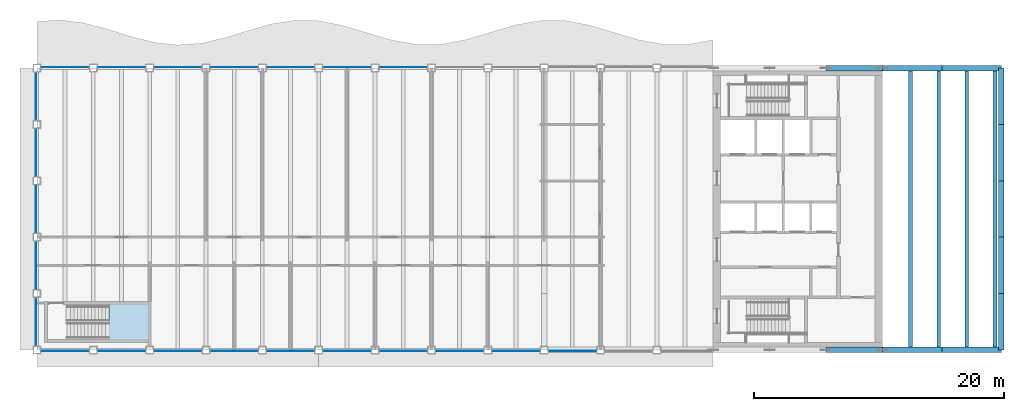
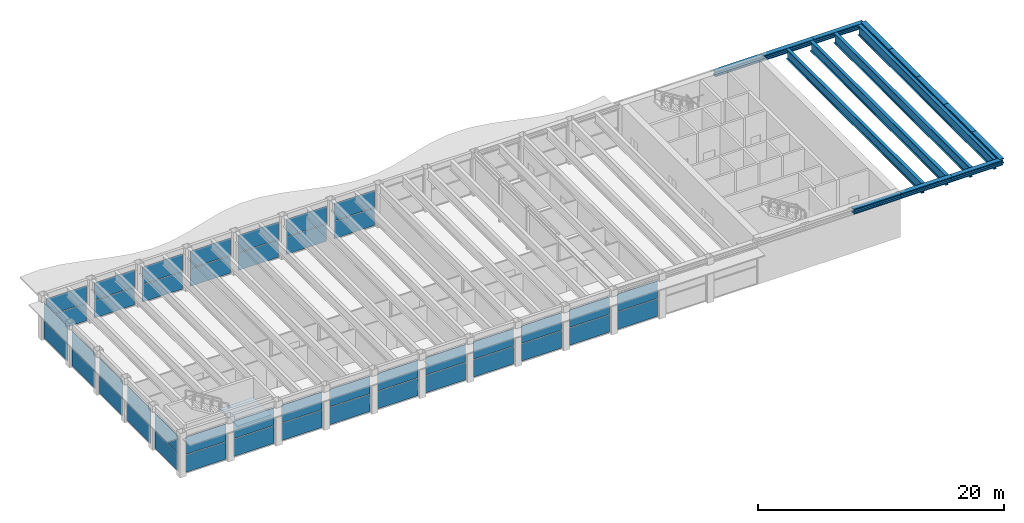
# One storey, part 8 of 15: 44 plates, 11 members, 4 beams, 1 slab, 23 elements without a shape of their own.
"""IFC4 building model written with IfcOpenShell, lengths in metres."""

from ifc_helpers import new_model, si_unit, direction, frame, origin, origin_2d, place, context, subcontext, project, spatial, polyline, rectangle, i_section, outline, extrude, material, layer, layer_set, material_profile, profile_set, type_object, element, aggregate, save


model = new_model("IFC4")

# Units and contexts
model_context = context("Model", 3, precision=1e-05, world=origin(), true_north=direction((0.0, 1.0)))
body_context = subcontext(model_context, "Body", "Model", "MODEL_VIEW")
ifc_project = project(units=[si_unit("LENGTHUNIT", "METRE"), si_unit("AREAUNIT", "SQUARE_METRE"), si_unit("VOLUMEUNIT", "CUBIC_METRE"), si_unit("PLANEANGLEUNIT", "RADIAN"), si_unit("MASSUNIT", "GRAM", prefix="KILO")], contexts=[model_context])

# Site, building, storey
site_placement = place(None, origin())
site = spatial("IfcSite", under=ifc_project, at=site_placement, CompositionType="ELEMENT")
building_placement = place(site_placement, origin())
building = spatial("IfcBuilding", under=site, at=building_placement, Name="Sennacour Bend Tower", CompositionType="ELEMENT")
storey_placement = place(building_placement, frame((0.0, 0.0, 341.0)))
storey = spatial("IfcBuildingStorey", under=building, at=storey_placement, Name="L78", CompositionType="ELEMENT", Elevation=341.0)

# Beams
ifc_material_1 = material(Name="Steel ASTM A992 Grade 50", Category="steel")
ifc_material_profile_1 = material_profile(ifc_material_1, i_section(OverallWidth=0.300048828125, OverallDepth=0.990966796875, WebThickness=0.0166015625, FlangeThickness=0.030517578125, FilletRadius=0.030029296875, at=origin_2d()), Name="Steel ASTM A992 Grade 50", Category="steel")
ifc_profile_set_1 = profile_set([ifc_material_profile_1], Name="Steel ASTM A992 Grade 50")
beam_type = type_object("IfcBeamType", Name="Floor beam W1000X272", PredefinedType="BEAM", material=ifc_profile_set_1)
for number, where, z_axis, x_axis, name in (
    (1, (69.75, 0.216064453125, 3.804443359375), (0.0, 1.0, 0.0), (-1.0, 0.0, 0.0), "Floor beam FBM3 L79-023"),
    (2, (72.0, 0.216064453125, 3.804443359375), (0.0, 1.0, 0.0), (-1.0, 0.0, 0.0), "Floor beam FBM3 L79-024"),
    (3, (74.25, 0.216064453125, 3.804443359375), (0.0, 1.0, 0.0), (-1.0, 0.0, 0.0), "Floor beam FBM3 L79-025"),
    (4, (76.5, 0.216064453125, 3.804443359375), (0.0, 1.0, 0.0), (-1.0, 0.0, 0.0), "Floor beam FBM3 L79-026"),
):
    element("IfcBeam", number, at=place(storey_placement, frame(where, z_axis=z_axis, x_axis=x_axis)), inside=storey, type_object=beam_type, Name=name, PredefinedType="BEAM", context=body_context, shape_type="SweptSolid", body=[
        extrude(i_section(OverallWidth=0.300048828125, OverallDepth=0.990966796875, WebThickness=0.0166015625, FlangeThickness=0.030517578125, FilletRadius=0.030029296875, at=origin_2d()), origin(), (0.0, 0.0, 1.0), 22.06787109375),
    ])

# Members
ifc_material_profile_2 = material_profile(ifc_material_1, i_section(OverallWidth=0.431884765625, OverallDepth=0.498046875, WebThickness=0.0556640625, FlangeThickness=0.0888671875, FilletRadius=0.01513671875, at=origin_2d()), Name="Steel ASTM A992 Grade 50", Category="steel")
ifc_profile_set_2 = profile_set([ifc_material_profile_2], Name="Steel ASTM A992 Grade 50")
member_type = type_object("IfcMemberType", Name="Lounge truss chord W360X744", PredefinedType="CHORD", material=ifc_profile_set_2)
member_1_placement = place(storey_placement, frame((63.0, 0.0, 4.051025390625), z_axis=(1.0, 0.0, 0.0), x_axis=(0.0, 1.0, 0.0)))
element("IfcMember", 5, at=member_1_placement, inside=storey, type_object=member_type, Name="Lounge truss chord LTC L79-006", PredefinedType="CHORD", context=body_context, shape_type="SweptSolid", body=[
    extrude(i_section(OverallWidth=0.431884765625, OverallDepth=0.498046875, WebThickness=0.0556640625, FlangeThickness=0.0888671875, FilletRadius=0.01513671875, at=origin_2d()), origin(), (0.0, 0.0, 1.0), 4.5),
])
for number, where, z_axis, x_axis, name in (
    (6, (67.5, 0.0, 4.051025390625), (1.0, 0.0, 0.0), (0.0, 1.0, 0.0), "Lounge truss chord LTC L79-007"),
    (7, (72.25, 0.0, 4.051025390625), (1.0, 0.0, 0.0), (0.0, 1.0, 0.0), "Lounge truss chord LTC L79-008"),
):
    element("IfcMember", number, at=place(storey_placement, frame(where, z_axis=z_axis, x_axis=x_axis)), inside=storey, type_object=member_type, Name=name, PredefinedType="CHORD", context=body_context, shape_type="SweptSolid", body=[
        extrude(i_section(OverallWidth=0.431884765625, OverallDepth=0.498046875, WebThickness=0.0556640625, FlangeThickness=0.0888671875, FilletRadius=0.01513671875, at=origin_2d()), origin(), (0.0, 0.0, 1.0), 4.75),
    ])
member_2_placement = place(storey_placement, frame((63.0, 22.5, 4.051025390625), z_axis=(1.0, 0.0, 0.0), x_axis=(0.0, 1.0, 0.0)))
element("IfcMember", 8, at=member_2_placement, inside=storey, type_object=member_type, Name="Lounge truss chord LTC L79-014", PredefinedType="CHORD", context=body_context, shape_type="SweptSolid", body=[
    extrude(i_section(OverallWidth=0.431884765625, OverallDepth=0.498046875, WebThickness=0.0556640625, FlangeThickness=0.0888671875, FilletRadius=0.01513671875, at=origin_2d()), origin(), (0.0, 0.0, 1.0), 4.5),
])
for number, where, z_axis, x_axis, name in (
    (9, (67.5, 22.5, 4.051025390625), (1.0, 0.0, 0.0), (0.0, 1.0, 0.0), "Lounge truss chord LTC L79-015"),
    (10, (72.25, 22.5, 4.051025390625), (1.0, 0.0, 0.0), (0.0, 1.0, 0.0), "Lounge truss chord LTC L79-016"),
):
    element("IfcMember", number, at=place(storey_placement, frame(where, z_axis=z_axis, x_axis=x_axis)), inside=storey, type_object=member_type, Name=name, PredefinedType="CHORD", context=body_context, shape_type="SweptSolid", body=[
        extrude(i_section(OverallWidth=0.431884765625, OverallDepth=0.498046875, WebThickness=0.0556640625, FlangeThickness=0.0888671875, FilletRadius=0.01513671875, at=origin_2d()), origin(), (0.0, 0.0, 1.0), 4.75),
    ])
for number, where, z_axis, x_axis, name in (
    (11, (77.0, 0.0, 4.051025390625), (0.0, 1.0, 0.0), (-1.0, 0.0, 0.0), "Lounge truss chord LTC L79-022"),
    (12, (77.0, 4.5, 4.051025390625), (0.0, 1.0, 0.0), (-1.0, 0.0, 0.0), "Lounge truss chord LTC L79-023"),
    (13, (77.0, 9.0, 4.051025390625), (0.0, 1.0, 0.0), (-1.0, 0.0, 0.0), "Lounge truss chord LTC L79-024"),
    (14, (77.0, 13.5, 4.051025390625), (0.0, 1.0, 0.0), (-1.0, 0.0, 0.0), "Lounge truss chord LTC L79-025"),
    (15, (77.0, 18.0, 4.051025390625), (0.0, 1.0, 0.0), (-1.0, 0.0, 0.0), "Lounge truss chord LTC L79-026"),
):
    element("IfcMember", number, at=place(storey_placement, frame(where, z_axis=z_axis, x_axis=x_axis)), inside=storey, type_object=member_type, Name=name, PredefinedType="CHORD", context=body_context, shape_type="SweptSolid", body=[
        extrude(i_section(OverallWidth=0.431884765625, OverallDepth=0.498046875, WebThickness=0.0556640625, FlangeThickness=0.0888671875, FilletRadius=0.01513671875, at=origin_2d()), origin(), (0.0, 0.0, 1.0), 4.5),
    ])

# Curtain wall, plates
ifc_material_2 = material(Name="Bronze anodised aluminium curtain wall with clear glass", Category="aluminium")
curtain_wall_type = type_object("IfcCurtainWallType", Name="CURTAIN WALL EXEC", PredefinedType="NOTDEFINED", material=ifc_material_2)
curtain_wall_1_placement = place(storey_placement, origin())
curtain_wall_1 = element("IfcCurtainWall", 16, at=curtain_wall_1_placement, inside=storey, type_object=curtain_wall_type, Name="Executive floor glass wall L78", PredefinedType="NOTDEFINED")
ifc_material_3 = material(Name="Clear low-emissivity glass", Category="glass")
ifc_layer_1 = layer(ifc_material_3, 0.031982421875, Name="Clear low-emissivity glass", Category="glass")
ifc_layer_set_1 = layer_set([ifc_layer_1], Name="Clear low-emissivity glass")
plate_type = type_object("IfcPlateType", Name="PNL-GLASS-IGU32", PredefinedType="CURTAIN_PANEL", material=ifc_layer_set_1)
plate_1_placement = place(storey_placement, frame((2.25, -0.074951171875, 0.06005859375), z_axis=(0.0, 0.0, 1.0), x_axis=(1.0, 0.0, 0.0)))
plate_1 = element("IfcPlate", 17, at=plate_1_placement, type_object=plate_type, Name="GW3 curtain wall panel 1.1", PredefinedType="CURTAIN_PANEL", context=body_context, shape_type="SweptSolid", body=[
    extrude(rectangle(XDim=3.780029296875, YDim=0.031982421875, at=origin_2d()), origin(), (0.0, 0.0, 1.0), 1.720947265625),
])
plate_2_placement = place(storey_placement, frame((2.25, -0.074951171875, 1.8408203125), z_axis=(0.0, 0.0, 1.0), x_axis=(1.0, 0.0, 0.0)))
plate_2 = element("IfcPlate", 18, at=plate_2_placement, type_object=plate_type, Name="GW3 curtain wall panel 1.2", PredefinedType="CURTAIN_PANEL", context=body_context, shape_type="SweptSolid", body=[
    extrude(rectangle(XDim=3.780029296875, YDim=0.031982421875, at=origin_2d()), origin(), (0.0, 0.0, 1.0), 1.720947265625),
])
aggregate(curtain_wall_1, [plate_1, plate_2])

curtain_wall_2_placement = place(storey_placement, origin())
curtain_wall_2 = element("IfcCurtainWall", 19, at=curtain_wall_2_placement, inside=storey, type_object=curtain_wall_type, Name="Executive floor glass wall L78", PredefinedType="NOTDEFINED")
plate_3_placement = place(storey_placement, frame((6.75, -0.074951171875, 0.06005859375), z_axis=(0.0, 0.0, 1.0), x_axis=(1.0, 0.0, 0.0)))
plate_3 = element("IfcPlate", 20, at=plate_3_placement, type_object=plate_type, Name="GW3 curtain wall panel 1.1", PredefinedType="CURTAIN_PANEL", context=body_context, shape_type="SweptSolid", body=[
    extrude(rectangle(XDim=3.780029296875, YDim=0.031982421875, at=origin_2d()), origin(), (0.0, 0.0, 1.0), 1.720947265625),
])
plate_4_placement = place(storey_placement, frame((6.75, -0.074951171875, 1.8408203125), z_axis=(0.0, 0.0, 1.0), x_axis=(1.0, 0.0, 0.0)))
plate_4 = element("IfcPlate", 21, at=plate_4_placement, type_object=plate_type, Name="GW3 curtain wall panel 1.2", PredefinedType="CURTAIN_PANEL", context=body_context, shape_type="SweptSolid", body=[
    extrude(rectangle(XDim=3.780029296875, YDim=0.031982421875, at=origin_2d()), origin(), (0.0, 0.0, 1.0), 1.720947265625),
])
aggregate(curtain_wall_2, [plate_3, plate_4])

curtain_wall_3_placement = place(storey_placement, origin())
curtain_wall_3 = element("IfcCurtainWall", 22, at=curtain_wall_3_placement, inside=storey, type_object=curtain_wall_type, Name="Executive floor glass wall L78", PredefinedType="NOTDEFINED")
plate_5_placement = place(storey_placement, frame((11.25, -0.074951171875, 0.06005859375), z_axis=(0.0, 0.0, 1.0), x_axis=(1.0, 0.0, 0.0)))
plate_5 = element("IfcPlate", 23, at=plate_5_placement, type_object=plate_type, Name="GW3 curtain wall panel 1.1", PredefinedType="CURTAIN_PANEL", context=body_context, shape_type="SweptSolid", body=[
    extrude(rectangle(XDim=3.780029296875, YDim=0.031982421875, at=origin_2d()), origin(), (0.0, 0.0, 1.0), 1.720947265625),
])
plate_6_placement = place(storey_placement, frame((11.25, -0.074951171875, 1.8408203125), z_axis=(0.0, 0.0, 1.0), x_axis=(1.0, 0.0, 0.0)))
plate_6 = element("IfcPlate", 24, at=plate_6_placement, type_object=plate_type, Name="GW3 curtain wall panel 1.2", PredefinedType="CURTAIN_PANEL", context=body_context, shape_type="SweptSolid", body=[
    extrude(rectangle(XDim=3.780029296875, YDim=0.031982421875, at=origin_2d()), origin(), (0.0, 0.0, 1.0), 1.720947265625),
])
aggregate(curtain_wall_3, [plate_5, plate_6])

curtain_wall_4_placement = place(storey_placement, origin())
curtain_wall_4 = element("IfcCurtainWall", 25, at=curtain_wall_4_placement, inside=storey, type_object=curtain_wall_type, Name="Executive floor glass wall L78", PredefinedType="NOTDEFINED")
plate_7_placement = place(storey_placement, frame((15.75, -0.074951171875, 0.06005859375), z_axis=(0.0, 0.0, 1.0), x_axis=(1.0, 0.0, 0.0)))
plate_7 = element("IfcPlate", 26, at=plate_7_placement, type_object=plate_type, Name="GW3 curtain wall panel 1.1", PredefinedType="CURTAIN_PANEL", context=body_context, shape_type="SweptSolid", body=[
    extrude(rectangle(XDim=3.780029296875, YDim=0.031982421875, at=origin_2d()), origin(), (0.0, 0.0, 1.0), 1.720947265625),
])
plate_8_placement = place(storey_placement, frame((15.75, -0.074951171875, 1.8408203125), z_axis=(0.0, 0.0, 1.0), x_axis=(1.0, 0.0, 0.0)))
plate_8 = element("IfcPlate", 27, at=plate_8_placement, type_object=plate_type, Name="GW3 curtain wall panel 1.2", PredefinedType="CURTAIN_PANEL", context=body_context, shape_type="SweptSolid", body=[
    extrude(rectangle(XDim=3.780029296875, YDim=0.031982421875, at=origin_2d()), origin(), (0.0, 0.0, 1.0), 1.720947265625),
])
aggregate(curtain_wall_4, [plate_7, plate_8])

curtain_wall_5_placement = place(storey_placement, origin())
curtain_wall_5 = element("IfcCurtainWall", 28, at=curtain_wall_5_placement, inside=storey, type_object=curtain_wall_type, Name="Executive floor glass wall L78", PredefinedType="NOTDEFINED")
plate_9_placement = place(storey_placement, frame((20.25, -0.074951171875, 0.06005859375), z_axis=(0.0, 0.0, 1.0), x_axis=(1.0, 0.0, 0.0)))
plate_9 = element("IfcPlate", 29, at=plate_9_placement, type_object=plate_type, Name="GW3 curtain wall panel 1.1", PredefinedType="CURTAIN_PANEL", context=body_context, shape_type="SweptSolid", body=[
    extrude(rectangle(XDim=3.780029296875, YDim=0.031982421875, at=origin_2d()), origin(), (0.0, 0.0, 1.0), 1.720947265625),
])
plate_10_placement = place(storey_placement, frame((20.25, -0.074951171875, 1.8408203125), z_axis=(0.0, 0.0, 1.0), x_axis=(1.0, 0.0, 0.0)))
plate_10 = element("IfcPlate", 30, at=plate_10_placement, type_object=plate_type, Name="GW3 curtain wall panel 1.2", PredefinedType="CURTAIN_PANEL", context=body_context, shape_type="SweptSolid", body=[
    extrude(rectangle(XDim=3.780029296875, YDim=0.031982421875, at=origin_2d()), origin(), (0.0, 0.0, 1.0), 1.720947265625),
])
aggregate(curtain_wall_5, [plate_9, plate_10])

curtain_wall_6_placement = place(storey_placement, origin())
curtain_wall_6 = element("IfcCurtainWall", 31, at=curtain_wall_6_placement, inside=storey, type_object=curtain_wall_type, Name="Executive floor glass wall L78", PredefinedType="NOTDEFINED")
plate_11_placement = place(storey_placement, frame((24.75, -0.074951171875, 0.06005859375), z_axis=(0.0, 0.0, 1.0), x_axis=(1.0, 0.0, 0.0)))
plate_11 = element("IfcPlate", 32, at=plate_11_placement, type_object=plate_type, Name="GW3 curtain wall panel 1.1", PredefinedType="CURTAIN_PANEL", context=body_context, shape_type="SweptSolid", body=[
    extrude(rectangle(XDim=3.780029296875, YDim=0.031982421875, at=origin_2d()), origin(), (0.0, 0.0, 1.0), 1.720947265625),
])
plate_12_placement = place(storey_placement, frame((24.75, -0.074951171875, 1.8408203125), z_axis=(0.0, 0.0, 1.0), x_axis=(1.0, 0.0, 0.0)))
plate_12 = element("IfcPlate", 33, at=plate_12_placement, type_object=plate_type, Name="GW3 curtain wall panel 1.2", PredefinedType="CURTAIN_PANEL", context=body_context, shape_type="SweptSolid", body=[
    extrude(rectangle(XDim=3.780029296875, YDim=0.031982421875, at=origin_2d()), origin(), (0.0, 0.0, 1.0), 1.720947265625),
])
aggregate(curtain_wall_6, [plate_11, plate_12])

curtain_wall_7_placement = place(storey_placement, origin())
curtain_wall_7 = element("IfcCurtainWall", 34, at=curtain_wall_7_placement, inside=storey, type_object=curtain_wall_type, Name="Executive floor glass wall L78", PredefinedType="NOTDEFINED")
plate_13_placement = place(storey_placement, frame((29.25, -0.074951171875, 0.06005859375), z_axis=(0.0, 0.0, 1.0), x_axis=(1.0, 0.0, 0.0)))
plate_13 = element("IfcPlate", 35, at=plate_13_placement, type_object=plate_type, Name="GW3 curtain wall panel 1.1", PredefinedType="CURTAIN_PANEL", context=body_context, shape_type="SweptSolid", body=[
    extrude(rectangle(XDim=3.780029296875, YDim=0.031982421875, at=origin_2d()), origin(), (0.0, 0.0, 1.0), 1.720947265625),
])
plate_14_placement = place(storey_placement, frame((29.25, -0.074951171875, 1.8408203125), z_axis=(0.0, 0.0, 1.0), x_axis=(1.0, 0.0, 0.0)))
plate_14 = element("IfcPlate", 36, at=plate_14_placement, type_object=plate_type, Name="GW3 curtain wall panel 1.2", PredefinedType="CURTAIN_PANEL", context=body_context, shape_type="SweptSolid", body=[
    extrude(rectangle(XDim=3.780029296875, YDim=0.031982421875, at=origin_2d()), origin(), (0.0, 0.0, 1.0), 1.720947265625),
])
aggregate(curtain_wall_7, [plate_13, plate_14])

curtain_wall_8_placement = place(storey_placement, origin())
curtain_wall_8 = element("IfcCurtainWall", 37, at=curtain_wall_8_placement, inside=storey, type_object=curtain_wall_type, Name="Executive floor glass wall L78", PredefinedType="NOTDEFINED")
plate_15_placement = place(storey_placement, frame((33.75, -0.074951171875, 0.06005859375), z_axis=(0.0, 0.0, 1.0), x_axis=(1.0, 0.0, 0.0)))
plate_15 = element("IfcPlate", 38, at=plate_15_placement, type_object=plate_type, Name="GW3 curtain wall panel 1.1", PredefinedType="CURTAIN_PANEL", context=body_context, shape_type="SweptSolid", body=[
    extrude(rectangle(XDim=3.780029296875, YDim=0.031982421875, at=origin_2d()), origin(), (0.0, 0.0, 1.0), 1.720947265625),
])
plate_16_placement = place(storey_placement, frame((33.75, -0.074951171875, 1.8408203125), z_axis=(0.0, 0.0, 1.0), x_axis=(1.0, 0.0, 0.0)))
plate_16 = element("IfcPlate", 39, at=plate_16_placement, type_object=plate_type, Name="GW3 curtain wall panel 1.2", PredefinedType="CURTAIN_PANEL", context=body_context, shape_type="SweptSolid", body=[
    extrude(rectangle(XDim=3.780029296875, YDim=0.031982421875, at=origin_2d()), origin(), (0.0, 0.0, 1.0), 1.720947265625),
])
aggregate(curtain_wall_8, [plate_15, plate_16])

curtain_wall_9_placement = place(storey_placement, origin())
curtain_wall_9 = element("IfcCurtainWall", 40, at=curtain_wall_9_placement, inside=storey, type_object=curtain_wall_type, Name="Executive floor glass wall L78", PredefinedType="NOTDEFINED")
plate_17_placement = place(storey_placement, frame((38.25, -0.074951171875, 0.06005859375), z_axis=(0.0, 0.0, 1.0), x_axis=(1.0, 0.0, 0.0)))
plate_17 = element("IfcPlate", 41, at=plate_17_placement, type_object=plate_type, Name="GW3 curtain wall panel 1.1", PredefinedType="CURTAIN_PANEL", context=body_context, shape_type="SweptSolid", body=[
    extrude(rectangle(XDim=3.780029296875, YDim=0.031982421875, at=origin_2d()), origin(), (0.0, 0.0, 1.0), 1.720947265625),
])
plate_18_placement = place(storey_placement, frame((38.25, -0.074951171875, 1.8408203125), z_axis=(0.0, 0.0, 1.0), x_axis=(1.0, 0.0, 0.0)))
plate_18 = element("IfcPlate", 42, at=plate_18_placement, type_object=plate_type, Name="GW3 curtain wall panel 1.2", PredefinedType="CURTAIN_PANEL", context=body_context, shape_type="SweptSolid", body=[
    extrude(rectangle(XDim=3.780029296875, YDim=0.031982421875, at=origin_2d()), origin(), (0.0, 0.0, 1.0), 1.720947265625),
])
aggregate(curtain_wall_9, [plate_17, plate_18])

curtain_wall_10_placement = place(storey_placement, origin())
curtain_wall_10 = element("IfcCurtainWall", 43, at=curtain_wall_10_placement, inside=storey, type_object=curtain_wall_type, Name="Executive floor glass wall L78", PredefinedType="NOTDEFINED")
plate_19_placement = place(storey_placement, frame((42.75, -0.074951171875, 0.06005859375), z_axis=(0.0, 0.0, 1.0), x_axis=(1.0, 0.0, 0.0)))
plate_19 = element("IfcPlate", 44, at=plate_19_placement, type_object=plate_type, Name="GW3 curtain wall panel 1.1", PredefinedType="CURTAIN_PANEL", context=body_context, shape_type="SweptSolid", body=[
    extrude(rectangle(XDim=3.780029296875, YDim=0.031982421875, at=origin_2d()), origin(), (0.0, 0.0, 1.0), 1.720947265625),
])
plate_20_placement = place(storey_placement, frame((42.75, -0.074951171875, 1.8408203125), z_axis=(0.0, 0.0, 1.0), x_axis=(1.0, 0.0, 0.0)))
plate_20 = element("IfcPlate", 45, at=plate_20_placement, type_object=plate_type, Name="GW3 curtain wall panel 1.2", PredefinedType="CURTAIN_PANEL", context=body_context, shape_type="SweptSolid", body=[
    extrude(rectangle(XDim=3.780029296875, YDim=0.031982421875, at=origin_2d()), origin(), (0.0, 0.0, 1.0), 1.720947265625),
])
aggregate(curtain_wall_10, [plate_19, plate_20])

curtain_wall_11_placement = place(storey_placement, origin())
curtain_wall_11 = element("IfcCurtainWall", 46, at=curtain_wall_11_placement, inside=storey, type_object=curtain_wall_type, Name="Executive floor glass wall L78", PredefinedType="NOTDEFINED")
plate_21_placement = place(storey_placement, frame((29.25, 22.574951171875, 0.06005859375), z_axis=(0.0, 0.0, 1.0), x_axis=(-1.0, 0.0, 0.0)))
plate_21 = element("IfcPlate", 47, at=plate_21_placement, type_object=plate_type, Name="GW3 curtain wall panel 1.1", PredefinedType="CURTAIN_PANEL", context=body_context, shape_type="SweptSolid", body=[
    extrude(rectangle(XDim=3.780029296875, YDim=0.031982421875, at=origin_2d()), origin(), (0.0, 0.0, 1.0), 1.720947265625),
])
plate_22_placement = place(storey_placement, frame((29.25, 22.574951171875, 1.8408203125), z_axis=(0.0, 0.0, 1.0), x_axis=(-1.0, 0.0, 0.0)))
plate_22 = element("IfcPlate", 48, at=plate_22_placement, type_object=plate_type, Name="GW3 curtain wall panel 1.2", PredefinedType="CURTAIN_PANEL", context=body_context, shape_type="SweptSolid", body=[
    extrude(rectangle(XDim=3.780029296875, YDim=0.031982421875, at=origin_2d()), origin(), (0.0, 0.0, 1.0), 1.720947265625),
])
aggregate(curtain_wall_11, [plate_21, plate_22])

curtain_wall_12_placement = place(storey_placement, origin())
curtain_wall_12 = element("IfcCurtainWall", 49, at=curtain_wall_12_placement, inside=storey, type_object=curtain_wall_type, Name="Executive floor glass wall L78", PredefinedType="NOTDEFINED")
plate_23_placement = place(storey_placement, frame((24.75, 22.574951171875, 0.06005859375), z_axis=(0.0, 0.0, 1.0), x_axis=(-1.0, 0.0, 0.0)))
plate_23 = element("IfcPlate", 50, at=plate_23_placement, type_object=plate_type, Name="GW3 curtain wall panel 1.1", PredefinedType="CURTAIN_PANEL", context=body_context, shape_type="SweptSolid", body=[
    extrude(rectangle(XDim=3.780029296875, YDim=0.031982421875, at=origin_2d()), origin(), (0.0, 0.0, 1.0), 1.720947265625),
])
plate_24_placement = place(storey_placement, frame((24.75, 22.574951171875, 1.8408203125), z_axis=(0.0, 0.0, 1.0), x_axis=(-1.0, 0.0, 0.0)))
plate_24 = element("IfcPlate", 51, at=plate_24_placement, type_object=plate_type, Name="GW3 curtain wall panel 1.2", PredefinedType="CURTAIN_PANEL", context=body_context, shape_type="SweptSolid", body=[
    extrude(rectangle(XDim=3.780029296875, YDim=0.031982421875, at=origin_2d()), origin(), (0.0, 0.0, 1.0), 1.720947265625),
])
aggregate(curtain_wall_12, [plate_23, plate_24])

curtain_wall_13_placement = place(storey_placement, origin())
curtain_wall_13 = element("IfcCurtainWall", 52, at=curtain_wall_13_placement, inside=storey, type_object=curtain_wall_type, Name="Executive floor glass wall L78", PredefinedType="NOTDEFINED")
plate_25_placement = place(storey_placement, frame((20.25, 22.574951171875, 0.06005859375), z_axis=(0.0, 0.0, 1.0), x_axis=(-1.0, 0.0, 0.0)))
plate_25 = element("IfcPlate", 53, at=plate_25_placement, type_object=plate_type, Name="GW3 curtain wall panel 1.1", PredefinedType="CURTAIN_PANEL", context=body_context, shape_type="SweptSolid", body=[
    extrude(rectangle(XDim=3.780029296875, YDim=0.031982421875, at=origin_2d()), origin(), (0.0, 0.0, 1.0), 1.720947265625),
])
plate_26_placement = place(storey_placement, frame((20.25, 22.574951171875, 1.8408203125), z_axis=(0.0, 0.0, 1.0), x_axis=(-1.0, 0.0, 0.0)))
plate_26 = element("IfcPlate", 54, at=plate_26_placement, type_object=plate_type, Name="GW3 curtain wall panel 1.2", PredefinedType="CURTAIN_PANEL", context=body_context, shape_type="SweptSolid", body=[
    extrude(rectangle(XDim=3.780029296875, YDim=0.031982421875, at=origin_2d()), origin(), (0.0, 0.0, 1.0), 1.720947265625),
])
aggregate(curtain_wall_13, [plate_25, plate_26])

curtain_wall_14_placement = place(storey_placement, origin())
curtain_wall_14 = element("IfcCurtainWall", 55, at=curtain_wall_14_placement, inside=storey, type_object=curtain_wall_type, Name="Executive floor glass wall L78", PredefinedType="NOTDEFINED")
plate_27_placement = place(storey_placement, frame((15.75, 22.574951171875, 0.06005859375), z_axis=(0.0, 0.0, 1.0), x_axis=(-1.0, 0.0, 0.0)))
plate_27 = element("IfcPlate", 56, at=plate_27_placement, type_object=plate_type, Name="GW3 curtain wall panel 1.1", PredefinedType="CURTAIN_PANEL", context=body_context, shape_type="SweptSolid", body=[
    extrude(rectangle(XDim=3.780029296875, YDim=0.031982421875, at=origin_2d()), origin(), (0.0, 0.0, 1.0), 1.720947265625),
])
plate_28_placement = place(storey_placement, frame((15.75, 22.574951171875, 1.8408203125), z_axis=(0.0, 0.0, 1.0), x_axis=(-1.0, 0.0, 0.0)))
plate_28 = element("IfcPlate", 57, at=plate_28_placement, type_object=plate_type, Name="GW3 curtain wall panel 1.2", PredefinedType="CURTAIN_PANEL", context=body_context, shape_type="SweptSolid", body=[
    extrude(rectangle(XDim=3.780029296875, YDim=0.031982421875, at=origin_2d()), origin(), (0.0, 0.0, 1.0), 1.720947265625),
])
aggregate(curtain_wall_14, [plate_27, plate_28])

curtain_wall_15_placement = place(storey_placement, origin())
curtain_wall_15 = element("IfcCurtainWall", 58, at=curtain_wall_15_placement, inside=storey, type_object=curtain_wall_type, Name="Executive floor glass wall L78", PredefinedType="NOTDEFINED")
plate_29_placement = place(storey_placement, frame((11.25, 22.574951171875, 0.06005859375), z_axis=(0.0, 0.0, 1.0), x_axis=(-1.0, 0.0, 0.0)))
plate_29 = element("IfcPlate", 59, at=plate_29_placement, type_object=plate_type, Name="GW3 curtain wall panel 1.1", PredefinedType="CURTAIN_PANEL", context=body_context, shape_type="SweptSolid", body=[
    extrude(rectangle(XDim=3.780029296875, YDim=0.031982421875, at=origin_2d()), origin(), (0.0, 0.0, 1.0), 1.720947265625),
])
plate_30_placement = place(storey_placement, frame((11.25, 22.574951171875, 1.8408203125), z_axis=(0.0, 0.0, 1.0), x_axis=(-1.0, 0.0, 0.0)))
plate_30 = element("IfcPlate", 60, at=plate_30_placement, type_object=plate_type, Name="GW3 curtain wall panel 1.2", PredefinedType="CURTAIN_PANEL", context=body_context, shape_type="SweptSolid", body=[
    extrude(rectangle(XDim=3.780029296875, YDim=0.031982421875, at=origin_2d()), origin(), (0.0, 0.0, 1.0), 1.720947265625),
])
aggregate(curtain_wall_15, [plate_29, plate_30])

curtain_wall_16_placement = place(storey_placement, origin())
curtain_wall_16 = element("IfcCurtainWall", 61, at=curtain_wall_16_placement, inside=storey, type_object=curtain_wall_type, Name="Executive floor glass wall L78", PredefinedType="NOTDEFINED")
plate_31_placement = place(storey_placement, frame((6.75, 22.574951171875, 0.06005859375), z_axis=(0.0, 0.0, 1.0), x_axis=(-1.0, 0.0, 0.0)))
plate_31 = element("IfcPlate", 62, at=plate_31_placement, type_object=plate_type, Name="GW3 curtain wall panel 1.1", PredefinedType="CURTAIN_PANEL", context=body_context, shape_type="SweptSolid", body=[
    extrude(rectangle(XDim=3.780029296875, YDim=0.031982421875, at=origin_2d()), origin(), (0.0, 0.0, 1.0), 1.720947265625),
])
plate_32_placement = place(storey_placement, frame((6.75, 22.574951171875, 1.8408203125), z_axis=(0.0, 0.0, 1.0), x_axis=(-1.0, 0.0, 0.0)))
plate_32 = element("IfcPlate", 63, at=plate_32_placement, type_object=plate_type, Name="GW3 curtain wall panel 1.2", PredefinedType="CURTAIN_PANEL", context=body_context, shape_type="SweptSolid", body=[
    extrude(rectangle(XDim=3.780029296875, YDim=0.031982421875, at=origin_2d()), origin(), (0.0, 0.0, 1.0), 1.720947265625),
])
aggregate(curtain_wall_16, [plate_31, plate_32])

curtain_wall_17_placement = place(storey_placement, origin())
curtain_wall_17 = element("IfcCurtainWall", 64, at=curtain_wall_17_placement, inside=storey, type_object=curtain_wall_type, Name="Executive floor glass wall L78", PredefinedType="NOTDEFINED")
plate_33_placement = place(storey_placement, frame((2.25, 22.574951171875, 0.06005859375), z_axis=(0.0, 0.0, 1.0), x_axis=(-1.0, 0.0, 0.0)))
plate_33 = element("IfcPlate", 65, at=plate_33_placement, type_object=plate_type, Name="GW3 curtain wall panel 1.1", PredefinedType="CURTAIN_PANEL", context=body_context, shape_type="SweptSolid", body=[
    extrude(rectangle(XDim=3.780029296875, YDim=0.031982421875, at=origin_2d()), origin(), (0.0, 0.0, 1.0), 1.720947265625),
])
plate_34_placement = place(storey_placement, frame((2.25, 22.574951171875, 1.8408203125), z_axis=(0.0, 0.0, 1.0), x_axis=(-1.0, 0.0, 0.0)))
plate_34 = element("IfcPlate", 66, at=plate_34_placement, type_object=plate_type, Name="GW3 curtain wall panel 1.2", PredefinedType="CURTAIN_PANEL", context=body_context, shape_type="SweptSolid", body=[
    extrude(rectangle(XDim=3.780029296875, YDim=0.031982421875, at=origin_2d()), origin(), (0.0, 0.0, 1.0), 1.720947265625),
])
aggregate(curtain_wall_17, [plate_33, plate_34])

curtain_wall_18_placement = place(storey_placement, origin())
curtain_wall_18 = element("IfcCurtainWall", 67, at=curtain_wall_18_placement, inside=storey, type_object=curtain_wall_type, Name="Executive floor glass wall L78", PredefinedType="NOTDEFINED")
plate_35_placement = place(storey_placement, frame((-0.074951171875, 20.25, 0.06005859375), z_axis=(0.0, 0.0, 1.0), x_axis=(0.0, -1.0, 0.0)))
plate_35 = element("IfcPlate", 68, at=plate_35_placement, type_object=plate_type, Name="GW3 curtain wall panel 1.1", PredefinedType="CURTAIN_PANEL", context=body_context, shape_type="SweptSolid", body=[
    extrude(rectangle(XDim=3.780029296875, YDim=0.031982421875, at=origin_2d()), origin(), (0.0, 0.0, 1.0), 1.720947265625),
])
plate_36_placement = place(storey_placement, frame((-0.074951171875, 20.25, 1.8408203125), z_axis=(0.0, 0.0, 1.0), x_axis=(0.0, -1.0, 0.0)))
plate_36 = element("IfcPlate", 69, at=plate_36_placement, type_object=plate_type, Name="GW3 curtain wall panel 1.2", PredefinedType="CURTAIN_PANEL", context=body_context, shape_type="SweptSolid", body=[
    extrude(rectangle(XDim=3.780029296875, YDim=0.031982421875, at=origin_2d()), origin(), (0.0, 0.0, 1.0), 1.720947265625),
])
aggregate(curtain_wall_18, [plate_35, plate_36])

curtain_wall_19_placement = place(storey_placement, origin())
curtain_wall_19 = element("IfcCurtainWall", 70, at=curtain_wall_19_placement, inside=storey, type_object=curtain_wall_type, Name="Executive floor glass wall L78", PredefinedType="NOTDEFINED")
plate_37_placement = place(storey_placement, frame((-0.074951171875, 15.75, 0.06005859375), z_axis=(0.0, 0.0, 1.0), x_axis=(0.0, -1.0, 0.0)))
plate_37 = element("IfcPlate", 71, at=plate_37_placement, type_object=plate_type, Name="GW3 curtain wall panel 1.1", PredefinedType="CURTAIN_PANEL", context=body_context, shape_type="SweptSolid", body=[
    extrude(rectangle(XDim=3.780029296875, YDim=0.031982421875, at=origin_2d()), origin(), (0.0, 0.0, 1.0), 1.720947265625),
])
plate_38_placement = place(storey_placement, frame((-0.074951171875, 15.75, 1.8408203125), z_axis=(0.0, 0.0, 1.0), x_axis=(0.0, -1.0, 0.0)))
plate_38 = element("IfcPlate", 72, at=plate_38_placement, type_object=plate_type, Name="GW3 curtain wall panel 1.2", PredefinedType="CURTAIN_PANEL", context=body_context, shape_type="SweptSolid", body=[
    extrude(rectangle(XDim=3.780029296875, YDim=0.031982421875, at=origin_2d()), origin(), (0.0, 0.0, 1.0), 1.720947265625),
])
aggregate(curtain_wall_19, [plate_37, plate_38])

curtain_wall_20_placement = place(storey_placement, origin())
curtain_wall_20 = element("IfcCurtainWall", 73, at=curtain_wall_20_placement, inside=storey, type_object=curtain_wall_type, Name="Executive floor glass wall L78", PredefinedType="NOTDEFINED")
plate_39_placement = place(storey_placement, frame((-0.074951171875, 11.25, 0.06005859375), z_axis=(0.0, 0.0, 1.0), x_axis=(0.0, -1.0, 0.0)))
plate_39 = element("IfcPlate", 74, at=plate_39_placement, type_object=plate_type, Name="GW3 curtain wall panel 1.1", PredefinedType="CURTAIN_PANEL", context=body_context, shape_type="SweptSolid", body=[
    extrude(rectangle(XDim=3.780029296875, YDim=0.031982421875, at=origin_2d()), origin(), (0.0, 0.0, 1.0), 1.720947265625),
])
plate_40_placement = place(storey_placement, frame((-0.074951171875, 11.25, 1.8408203125), z_axis=(0.0, 0.0, 1.0), x_axis=(0.0, -1.0, 0.0)))
plate_40 = element("IfcPlate", 75, at=plate_40_placement, type_object=plate_type, Name="GW3 curtain wall panel 1.2", PredefinedType="CURTAIN_PANEL", context=body_context, shape_type="SweptSolid", body=[
    extrude(rectangle(XDim=3.780029296875, YDim=0.031982421875, at=origin_2d()), origin(), (0.0, 0.0, 1.0), 1.720947265625),
])
aggregate(curtain_wall_20, [plate_39, plate_40])

curtain_wall_21_placement = place(storey_placement, origin())
curtain_wall_21 = element("IfcCurtainWall", 76, at=curtain_wall_21_placement, inside=storey, type_object=curtain_wall_type, Name="Executive floor glass wall L78", PredefinedType="NOTDEFINED")
plate_41_placement = place(storey_placement, frame((-0.074951171875, 6.75, 0.06005859375), z_axis=(0.0, 0.0, 1.0), x_axis=(0.0, -1.0, 0.0)))
plate_41 = element("IfcPlate", 77, at=plate_41_placement, type_object=plate_type, Name="GW3 curtain wall panel 1.1", PredefinedType="CURTAIN_PANEL", context=body_context, shape_type="SweptSolid", body=[
    extrude(rectangle(XDim=3.780029296875, YDim=0.031982421875, at=origin_2d()), origin(), (0.0, 0.0, 1.0), 1.720947265625),
])
plate_42_placement = place(storey_placement, frame((-0.074951171875, 6.75, 1.8408203125), z_axis=(0.0, 0.0, 1.0), x_axis=(0.0, -1.0, 0.0)))
plate_42 = element("IfcPlate", 78, at=plate_42_placement, type_object=plate_type, Name="GW3 curtain wall panel 1.2", PredefinedType="CURTAIN_PANEL", context=body_context, shape_type="SweptSolid", body=[
    extrude(rectangle(XDim=3.780029296875, YDim=0.031982421875, at=origin_2d()), origin(), (0.0, 0.0, 1.0), 1.720947265625),
])
aggregate(curtain_wall_21, [plate_41, plate_42])

curtain_wall_22_placement = place(storey_placement, origin())
curtain_wall_22 = element("IfcCurtainWall", 79, at=curtain_wall_22_placement, inside=storey, type_object=curtain_wall_type, Name="Executive floor glass wall L78", PredefinedType="NOTDEFINED")
plate_43_placement = place(storey_placement, frame((-0.074951171875, 2.25, 0.06005859375), z_axis=(0.0, 0.0, 1.0), x_axis=(0.0, -1.0, 0.0)))
plate_43 = element("IfcPlate", 80, at=plate_43_placement, type_object=plate_type, Name="GW3 curtain wall panel 1.1", PredefinedType="CURTAIN_PANEL", context=body_context, shape_type="SweptSolid", body=[
    extrude(rectangle(XDim=3.780029296875, YDim=0.031982421875, at=origin_2d()), origin(), (0.0, 0.0, 1.0), 1.720947265625),
])
plate_44_placement = place(storey_placement, frame((-0.074951171875, 2.25, 1.8408203125), z_axis=(0.0, 0.0, 1.0), x_axis=(0.0, -1.0, 0.0)))
plate_44 = element("IfcPlate", 81, at=plate_44_placement, type_object=plate_type, Name="GW3 curtain wall panel 1.2", PredefinedType="CURTAIN_PANEL", context=body_context, shape_type="SweptSolid", body=[
    extrude(rectangle(XDim=3.780029296875, YDim=0.031982421875, at=origin_2d()), origin(), (0.0, 0.0, 1.0), 1.720947265625),
])
aggregate(curtain_wall_22, [plate_43, plate_44])

# Stair, slab
ifc_material_4 = material(Name="Concrete C40/50", Category="concrete")
stair_type = type_object("IfcStairType", Name="ST-DOGLEG", PredefinedType="HALF_TURN_STAIR", material=ifc_material_4)
stair_placement = place(storey_placement, origin())
stair = element("IfcStair", 82, at=stair_placement, inside=storey, type_object=stair_type, Name="L78 Exit stair K1", PredefinedType="HALF_TURN_STAIR")
ifc_layer_2 = layer(ifc_material_4, 0.199951171875, Name="Concrete C40/50", Category="concrete")
ifc_layer_set_2 = layer_set([ifc_layer_2], Name="Concrete C40/50")
slab_type = type_object("IfcSlabType", Name="Stair landing 200", PredefinedType="LANDING", material=ifc_layer_set_2)
slab_placement = place(storey_placement, frame((0.0, 0.0, 2.050048828125)))
slab = element("IfcSlab", 83, at=slab_placement, type_object=slab_type, Name="SK1 landing 1", PredefinedType="LANDING", context=body_context, shape_type="SweptSolid", body=[
    extrude(outline(polyline([(5.760009765625, 0.800048828125), (8.925048828125, 0.800048828125), (8.925048828125, 3.675048828125), (5.760009765625, 3.675048828125), (5.760009765625, 0.800048828125)])), origin(), (0.0, 0.0, 1.0), 0.199951171875),
])
aggregate(stair, [slab])

save(model, "model.ifc")
